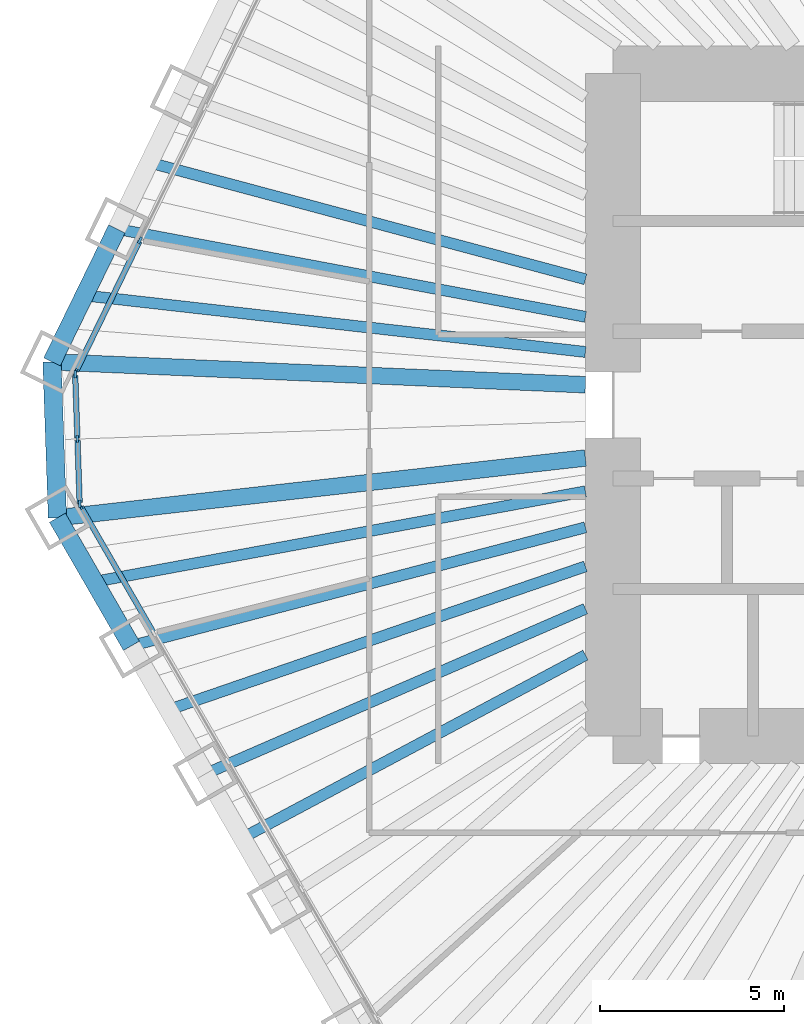
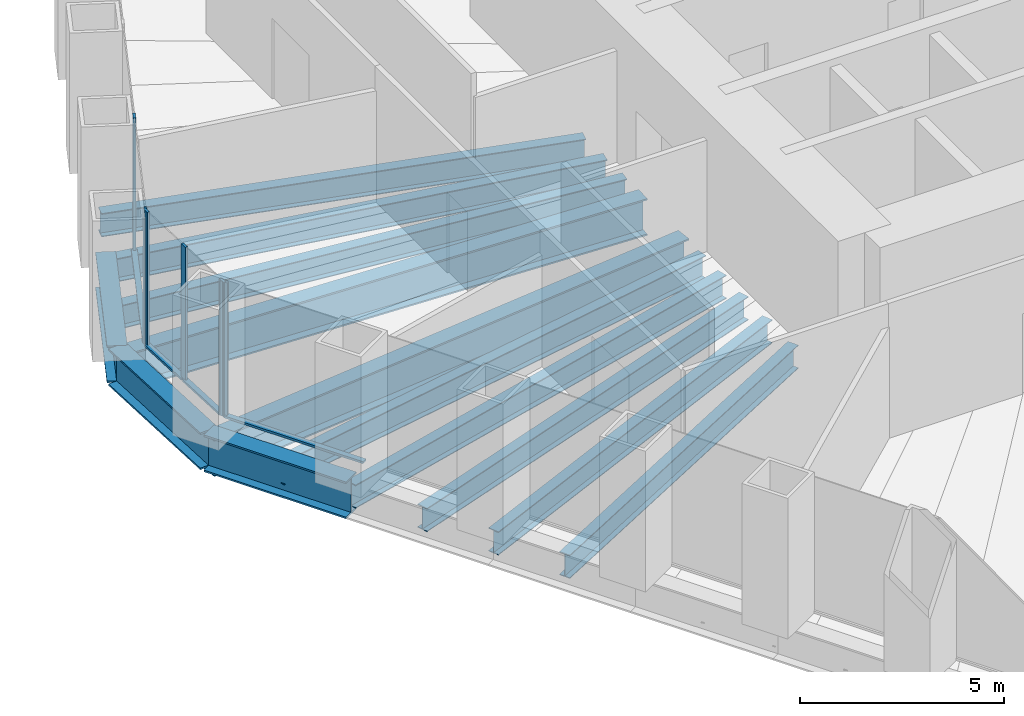
# One storey, part 3 of 13: 13 beams, 10 members, 3 elements without a shape of their own.
"""IFC4 building model written with IfcOpenShell, lengths in metres."""

from ifc_helpers import new_model, si_unit, direction, frame, origin, origin_2d, place, context, subcontext, project, spatial, rectangle, i_section, extrude, material, material_profile, profile_set, type_object, element, aggregate, save


model = new_model("IFC4")

# Units and contexts
model_context = context("Model", 3, precision=1e-05, world=origin(), true_north=direction((0.0, 1.0)))
body_context = subcontext(model_context, "Body", "Model", "MODEL_VIEW")
ifc_project = project(units=[si_unit("LENGTHUNIT", "METRE"), si_unit("AREAUNIT", "SQUARE_METRE"), si_unit("VOLUMEUNIT", "CUBIC_METRE"), si_unit("PLANEANGLEUNIT", "RADIAN"), si_unit("MASSUNIT", "GRAM", prefix="KILO")], contexts=[model_context])

# Site, building, storey
site_placement = place(None, origin())
site = spatial("IfcSite", under=ifc_project, at=site_placement, CompositionType="ELEMENT")
building_placement = place(site_placement, origin())
building = spatial("IfcBuilding", under=site, at=building_placement, Name="Qingtian Harvest Tower", CompositionType="ELEMENT")
storey_placement = place(building_placement, frame((0.0, 0.0, 132.39990234375)))
storey = spatial("IfcBuildingStorey", under=building, at=storey_placement, Name="L27", CompositionType="ELEMENT", Elevation=132.39990234375)

# Beams
ifc_material_1 = material(Name="Steel SM570MC", Category="steel")
ifc_material_profile_1 = material_profile(ifc_material_1, i_section(OverallWidth=0.449951171875, OverallDepth=1.10009765625, WebThickness=0.02197265625, FlangeThickness=0.044921875, at=origin_2d()), Name="H1100x450x22x45")
ifc_profile_set_1 = profile_set([ifc_material_profile_1], Name="Steel SM570MC")
beam_type_1 = type_object("IfcBeamType", Name="Corner floor beam FB8 H1100x450x22x45", PredefinedType="BEAM", material=ifc_profile_set_1)
beam_1_placement = place(storey_placement, frame((-27.096923828125, -3.066650390625, -0.719970703125), z_axis=(0.993656070393, 0.112461610213, 0.0), x_axis=(-0.112461610213, 0.993656070393, 0.0)))
element("IfcBeam", 1, at=beam_1_placement, inside=storey, type_object=beam_type_1, Name="Floor beam FB8 SW6", PredefinedType="BEAM", context=body_context, shape_type="SweptSolid", body=[
    extrude(i_section(OverallWidth=0.449951171875, OverallDepth=1.10009765625, WebThickness=0.02197265625, FlangeThickness=0.044921875, at=origin_2d()), origin(), (0.0, 0.0, 1.0), 14.4384765625),
])
beam_2_placement = place(storey_placement, frame((-27.244873046875, 1.1689453125, -0.719970703125), z_axis=(0.999081074678, -0.042860310542, 0.0), x_axis=(0.042860310542, 0.999081074678, 0.0)))
element("IfcBeam", 2, at=beam_2_placement, inside=storey, type_object=beam_type_1, Name="Floor beam FB8 NW0", PredefinedType="BEAM", context=body_context, shape_type="SweptSolid", body=[
    extrude(i_section(OverallWidth=0.449951171875, OverallDepth=1.10009765625, WebThickness=0.02197265625, FlangeThickness=0.044921875, at=origin_2d()), origin(), (0.0, 0.0, 1.0), 14.50830078125),
])
ifc_material_2 = material(Name="Steel SN490B", Category="steel")
ifc_material_profile_2 = material_profile(ifc_material_2, i_section(OverallWidth=0.300048828125, OverallDepth=0.699951171875, WebThickness=0.012939453125, FlangeThickness=0.02392578125, at=origin_2d()), Name="H700x300x13x24")
ifc_profile_set_2 = profile_set([ifc_material_profile_2], Name="Steel SN490B")
beam_type_2 = type_object("IfcBeamType", Name="Floor beam FB2 H700x300x13x24", PredefinedType="BEAM", material=ifc_profile_set_2)
beam_3_placement = place(storey_placement, frame((-23.077880859375, -10.02783203125, -0.52001953125), z_axis=(0.917154138631, 0.398532666154, 0.0), x_axis=(-0.398532666154, 0.917154138631, 0.0)))
element("IfcBeam", 3, at=beam_3_placement, inside=storey, type_object=beam_type_2, Name="Floor beam FB2 SW4", PredefinedType="BEAM", context=body_context, shape_type="SweptSolid", body=[
    extrude(i_section(OverallWidth=0.300048828125, OverallDepth=0.699951171875, WebThickness=0.012939453125, FlangeThickness=0.02392578125, at=origin_2d()), origin(), (0.0, 0.0, 1.0), 11.2607421875),
])
beam_4_placement = place(storey_placement, frame((-25.08740234375, -6.547119140625, -0.52001953125), z_axis=(0.967592867696, 0.252515429991, 0.0), x_axis=(-0.252515429991, 0.967592867696, 0.0)))
element("IfcBeam", 4, at=beam_4_placement, inside=storey, type_object=beam_type_2, Name="Floor beam FB2 SW5", PredefinedType="BEAM", context=body_context, shape_type="SweptSolid", body=[
    extrude(i_section(OverallWidth=0.300048828125, OverallDepth=0.699951171875, WebThickness=0.012939453125, FlangeThickness=0.02392578125, at=origin_2d()), origin(), (0.0, 0.0, 1.0), 12.750732421875),
])
beam_5_placement = place(storey_placement, frame((-25.483154296875, 4.78125, -0.52001953125), z_axis=(0.982851913913, -0.184396625015, 0.0), x_axis=(0.184396625015, 0.982851913913, 0.0)))
element("IfcBeam", 5, at=beam_5_placement, inside=storey, type_object=beam_type_2, Name="Floor beam FB2 NW1", PredefinedType="BEAM", context=body_context, shape_type="SweptSolid", body=[
    extrude(i_section(OverallWidth=0.300048828125, OverallDepth=0.699951171875, WebThickness=0.012939453125, FlangeThickness=0.02392578125, at=origin_2d()), origin(), (0.0, 0.0, 1.0), 12.955322265625),
])
ifc_material_3 = material(Name="Steel SN490B", Category="steel")
ifc_material_profile_3 = material_profile(ifc_material_3, i_section(OverallWidth=0.300048828125, OverallDepth=0.699951171875, WebThickness=0.012939453125, FlangeThickness=0.02392578125, at=origin_2d()), Name="H700x300x13x24")
ifc_profile_set_3 = profile_set([ifc_material_profile_3], Name="Steel SN490B")
beam_type_3 = type_object("IfcBeamType", Name="Floor joist J2 H700x300x13x24", PredefinedType="JOIST", material=ifc_profile_set_3)
beam_6_placement = place(storey_placement, frame((-22.0732421875, -11.76806640625, -0.52001953125), z_axis=(0.882429048443, 0.47044550637, 0.0), x_axis=(-0.47044550637, 0.882429048443, 0.0)))
element("IfcBeam", 6, at=beam_6_placement, inside=storey, type_object=beam_type_3, Name="Floor joist J2 SW3", PredefinedType="JOIST", context=body_context, shape_type="SweptSolid", body=[
    extrude(i_section(OverallWidth=0.300048828125, OverallDepth=0.699951171875, WebThickness=0.012939453125, FlangeThickness=0.02392578125, at=origin_2d()), origin(), (0.0, 0.0, 1.0), 10.5654296875),
])
beam_7_placement = place(storey_placement, frame((-24.082763671875, -8.28759765625, -0.52001953125), z_axis=(0.945577150072, 0.325397992099, 0.0), x_axis=(-0.325397992099, 0.945577150072, 0.0)))
element("IfcBeam", 7, at=beam_7_placement, inside=storey, type_object=beam_type_3, Name="Floor joist J2 SW4", PredefinedType="JOIST", context=body_context, shape_type="SweptSolid", body=[
    extrude(i_section(OverallWidth=0.300048828125, OverallDepth=0.699951171875, WebThickness=0.012939453125, FlangeThickness=0.02392578125, at=origin_2d()), origin(), (0.0, 0.0, 1.0), 11.985107421875),
])
beam_8_placement = place(storey_placement, frame((-26.09228515625, -4.806884765625, -0.52001953125), z_axis=(0.983450319804, 0.181178002192, 0.0), x_axis=(-0.181178002192, 0.983450319804, 0.0)))
element("IfcBeam", 8, at=beam_8_placement, inside=storey, type_object=beam_type_3, Name="Floor joist J2 SW5", PredefinedType="JOIST", context=body_context, shape_type="SweptSolid", body=[
    extrude(i_section(OverallWidth=0.300048828125, OverallDepth=0.699951171875, WebThickness=0.012939453125, FlangeThickness=0.02392578125, at=origin_2d()), origin(), (0.0, 0.0, 1.0), 13.56689453125),
])
beam_9_placement = place(storey_placement, frame((-26.364013671875, 2.97509765625, -0.52001953125), z_axis=(0.993692330348, -0.112140771387, 0.0), x_axis=(0.112140771387, 0.993692330348, 0.0)))
element("IfcBeam", 9, at=beam_9_placement, inside=storey, type_object=beam_type_3, Name="Floor joist J2 NW0", PredefinedType="JOIST", context=body_context, shape_type="SweptSolid", body=[
    extrude(i_section(OverallWidth=0.300048828125, OverallDepth=0.699951171875, WebThickness=0.012939453125, FlangeThickness=0.02392578125, at=origin_2d()), origin(), (0.0, 0.0, 1.0), 13.700439453125),
])
beam_10_placement = place(storey_placement, frame((-24.60205078125, 6.58740234375, -0.52001953125), z_axis=(0.965969893862, -0.258654526641, 0.0), x_axis=(0.258654526641, 0.965969893862, 0.0)))
element("IfcBeam", 10, at=beam_10_placement, inside=storey, type_object=beam_type_3, Name="Floor joist J2 NW1", PredefinedType="JOIST", context=body_context, shape_type="SweptSolid", body=[
    extrude(i_section(OverallWidth=0.300048828125, OverallDepth=0.699951171875, WebThickness=0.012939453125, FlangeThickness=0.02392578125, at=origin_2d()), origin(), (0.0, 0.0, 1.0), 12.26953125),
])

# Curtain wall, member
ifc_material_4 = material(Name="Bronze-anodised aluminium curtain wall", Category="aluminium")
curtain_wall_type = type_object("IfcCurtainWallType", Name="Curtain wall CW4 office", PredefinedType="USERDEFINED", material=ifc_material_4)
curtain_wall_1_placement = place(storey_placement, origin())
curtain_wall_1 = element("IfcCurtainWall", 11, at=curtain_wall_1_placement, inside=storey, type_object=curtain_wall_type, Name="Curtain wall CW4 L27 SW0-5", ObjectType="RECESSED CURTAIN WALL", PredefinedType="USERDEFINED")
ifc_material_5 = material(Name="Bronze-anodised aluminium mullion", Category="aluminium")
ifc_material_profile_4 = material_profile(ifc_material_5, rectangle(XDim=0.06494140625, YDim=0.199951171875, at=origin_2d()), Name="AL 65x200")
ifc_profile_set_4 = profile_set([ifc_material_profile_4], Name="Bronze-anodised aluminium mullion")
member_type_1 = type_object("IfcMemberType", Name="Mullion CWM 65x200", PredefinedType="MULLION", material=ifc_profile_set_4)
member_1_placement = place(storey_placement, frame((-26.474609375, -2.744873046875, 0.0), z_axis=(0.0, 0.0, 1.0), x_axis=(-0.866025403784, -0.5, 0.0)))
member_1 = element("IfcMember", 12, at=member_1_placement, type_object=member_type_1, Name="CW4 mullion 7", PredefinedType="MULLION", context=body_context, shape_type="SweptSolid", body=[
    extrude(rectangle(XDim=0.06494140625, YDim=0.199951171875, at=origin_2d()), origin(), (0.0, 0.0, 1.0), 4.030029296875),
])

# Curtain wall, members
curtain_wall_2_placement = place(storey_placement, origin())
curtain_wall_2 = element("IfcCurtainWall", 13, at=curtain_wall_2_placement, inside=storey, type_object=curtain_wall_type, Name="Curtain wall CW4 L27 SWC", ObjectType="RECESSED CURTAIN WALL", PredefinedType="USERDEFINED")
member_2_placement = place(storey_placement, frame((-26.491943359375, -2.68408203125, 0.0), z_axis=(0.0, 0.0, 1.0), x_axis=(-0.999390827019, -0.034899496703, 0.0)))
member_2 = element("IfcMember", 14, at=member_2_placement, type_object=member_type_1, Name="CW4 mullion 1", PredefinedType="MULLION", context=body_context, shape_type="SweptSolid", body=[
    extrude(rectangle(XDim=0.06494140625, YDim=0.199951171875, at=origin_2d()), origin(), (0.0, 0.0, 1.0), 4.030029296875),
])
member_3_placement = place(storey_placement, frame((-26.55322265625, -0.92724609375, 0.0), z_axis=(0.0, 0.0, 1.0), x_axis=(-0.999390827019, -0.034899496703, 0.0)))
member_3 = element("IfcMember", 15, at=member_3_placement, type_object=member_type_1, Name="CW4 mullion 2", PredefinedType="MULLION", context=body_context, shape_type="SweptSolid", body=[
    extrude(rectangle(XDim=0.06494140625, YDim=0.199951171875, at=origin_2d()), origin(), (0.0, 0.0, 1.0), 4.030029296875),
])
member_4_placement = place(storey_placement, frame((-26.614501953125, 0.82958984375, 0.0), z_axis=(0.0, 0.0, 1.0), x_axis=(-0.999390827019, -0.034899496703, 0.0)))
member_4 = element("IfcMember", 16, at=member_4_placement, type_object=member_type_1, Name="CW4 mullion 3", PredefinedType="MULLION", context=body_context, shape_type="SweptSolid", body=[
    extrude(rectangle(XDim=0.06494140625, YDim=0.199951171875, at=origin_2d()), origin(), (0.0, 0.0, 1.0), 4.030029296875),
])

curtain_wall_3_placement = place(storey_placement, origin())
curtain_wall_3 = element("IfcCurtainWall", 17, at=curtain_wall_3_placement, inside=storey, type_object=curtain_wall_type, Name="Curtain wall CW4 L27 NW0-5", ObjectType="RECESSED CURTAIN WALL", PredefinedType="USERDEFINED")
member_5_placement = place(storey_placement, frame((-26.6015625, 0.891357421875, 0.0), z_axis=(0.0, 0.0, 1.0), x_axis=(-0.898794046299, 0.438371146789, 0.0)))
member_5 = element("IfcMember", 18, at=member_5_placement, type_object=member_type_1, Name="CW4 mullion 1", PredefinedType="MULLION", context=body_context, shape_type="SweptSolid", body=[
    extrude(rectangle(XDim=0.06494140625, YDim=0.199951171875, at=origin_2d()), origin(), (0.0, 0.0, 1.0), 4.030029296875),
])
member_6_placement = place(storey_placement, frame((-24.85400390625, 4.474365234375, 0.0), z_axis=(0.0, 0.0, 1.0), x_axis=(-0.898794046299, 0.438371146789, 0.0)))
member_6 = element("IfcMember", 19, at=member_6_placement, type_object=member_type_1, Name="CW4 mullion 2", PredefinedType="MULLION", context=body_context, shape_type="SweptSolid", body=[
    extrude(rectangle(XDim=0.06494140625, YDim=0.199951171875, at=origin_2d()), origin(), (0.0, 0.0, 1.0), 4.030029296875),
])

# Beams
ifc_material_6 = material(Name="Steel SM570MC", Category="steel")
ifc_material_profile_5 = material_profile(ifc_material_6, i_section(OverallWidth=0.5, OverallDepth=1.10009765625, WebThickness=0.02490234375, FlangeThickness=0.050048828125, at=origin_2d()), Name="H1100x500x25x50")
ifc_profile_set_5 = profile_set([ifc_material_profile_5], Name="Steel SM570MC")
beam_type_4 = type_object("IfcBeamType", Name="Spandrel beam SB2 H1100x500x25x50", PredefinedType="SPANDREL", material=ifc_profile_set_5)
beam_11_placement = place(storey_placement, frame((-25.08740234375, -6.547119140625, -0.5498046875), z_axis=(-0.500013420409, 0.866017655369, 0.0), x_axis=(-0.866017655369, -0.500013420409, 0.0)))
element("IfcBeam", 20, at=beam_11_placement, inside=storey, type_object=beam_type_4, Name="Spandrel SB2 SW5", PredefinedType="SPANDREL", context=body_context, shape_type="SweptSolid", body=[
    extrude(i_section(OverallWidth=0.5, OverallDepth=1.10009765625, WebThickness=0.02490234375, FlangeThickness=0.050048828125, at=origin_2d()), origin(), (0.0, 0.0, 1.0), 4.01904296875),
])
beam_12_placement = place(storey_placement, frame((-27.096923828125, -3.066650390625, -0.5498046875), z_axis=(-0.034908677553, 0.999390506375, 0.0), x_axis=(-0.999390506375, -0.034908677553, 0.0)))
element("IfcBeam", 21, at=beam_12_placement, inside=storey, type_object=beam_type_4, Name="Spandrel SB2 SWC", PredefinedType="SPANDREL", context=body_context, shape_type="SweptSolid", body=[
    extrude(i_section(OverallWidth=0.5, OverallDepth=1.10009765625, WebThickness=0.02490234375, FlangeThickness=0.050048828125, at=origin_2d()), origin(), (0.0, 0.0, 1.0), 4.23828125),
])
beam_13_placement = place(storey_placement, frame((-27.244873046875, 1.1689453125, -0.5498046875), z_axis=(0.438347033158, 0.898805806902, 0.0), x_axis=(-0.898805806902, 0.438347033158, 0.0)))
element("IfcBeam", 22, at=beam_13_placement, inside=storey, type_object=beam_type_4, Name="Spandrel SB2 NW0", PredefinedType="SPANDREL", context=body_context, shape_type="SweptSolid", body=[
    extrude(i_section(OverallWidth=0.5, OverallDepth=1.10009765625, WebThickness=0.02490234375, FlangeThickness=0.050048828125, at=origin_2d()), origin(), (0.0, 0.0, 1.0), 4.01904296875),
])

# Member
ifc_material_7 = material(Name="Bronze-anodised aluminium transom", Category="aluminium")
ifc_material_profile_6 = material_profile(ifc_material_7, rectangle(XDim=0.14990234375, YDim=0.06494140625, at=origin_2d()), Name="AL 65x150")
ifc_profile_set_6 = profile_set([ifc_material_profile_6], Name="Bronze-anodised aluminium transom")
member_type_2 = type_object("IfcMemberType", Name="Transom CWT 65x150", PredefinedType="USERDEFINED", material=ifc_profile_set_6)
member_7_placement = place(storey_placement, frame((-24.49755859375, -6.169189453125, 0.03271484375), z_axis=(-0.499975738995, 0.866039410429, 0.0), x_axis=(-0.866039410429, -0.499975738995, 0.0)))
member_7 = element("IfcMember", 23, at=member_7_placement, type_object=member_type_2, Name="CW4 transom 6.1", ObjectType="TRANSOM", PredefinedType="USERDEFINED", context=body_context, shape_type="SweptSolid", body=[
    extrude(rectangle(XDim=0.14990234375, YDim=0.06494140625, at=origin_2d()), origin(), (0.0, 0.0, 1.0), 3.921630859375),
])

aggregate(curtain_wall_1, [member_1, member_7])

member_8_placement = place(storey_placement, frame((-26.4931640625, -2.651611328125, 0.03271484375), z_axis=(-0.034899362377, 0.99939083171, 0.0), x_axis=(-0.99939083171, -0.034899362377, 0.0)))
member_8 = element("IfcMember", 24, at=member_8_placement, type_object=member_type_2, Name="CW4 transom 1.1", ObjectType="TRANSOM", PredefinedType="USERDEFINED", context=body_context, shape_type="SweptSolid", body=[
    extrude(rectangle(XDim=0.14990234375, YDim=0.06494140625, at=origin_2d()), origin(), (0.0, 0.0, 1.0), 1.69287109375),
])

member_9_placement = place(storey_placement, frame((-26.554443359375, -0.894775390625, 0.03271484375), z_axis=(-0.034899362377, 0.99939083171, 0.0), x_axis=(-0.99939083171, -0.034899362377, 0.0)))
member_9 = element("IfcMember", 25, at=member_9_placement, type_object=member_type_2, Name="CW4 transom 2.1", ObjectType="TRANSOM", PredefinedType="USERDEFINED", context=body_context, shape_type="SweptSolid", body=[
    extrude(rectangle(XDim=0.14990234375, YDim=0.06494140625, at=origin_2d()), origin(), (0.0, 0.0, 1.0), 1.69287109375),
])

aggregate(curtain_wall_2, [member_2, member_3, member_4, member_8, member_9])

member_10_placement = place(storey_placement, frame((-26.587158203125, 0.92041015625, 0.03271484375), z_axis=(0.438326734225, 0.898815706396, 0.0), x_axis=(-0.898815706396, 0.438326734225, 0.0)))
member_10 = element("IfcMember", 26, at=member_10_placement, type_object=member_type_2, Name="CW4 transom 1.1", ObjectType="TRANSOM", PredefinedType="USERDEFINED", context=body_context, shape_type="SweptSolid", body=[
    extrude(rectangle(XDim=0.14990234375, YDim=0.06494140625, at=origin_2d()), origin(), (0.0, 0.0, 1.0), 3.921630859375),
])

aggregate(curtain_wall_3, [member_5, member_6, member_10])

save(model, "model.ifc")
